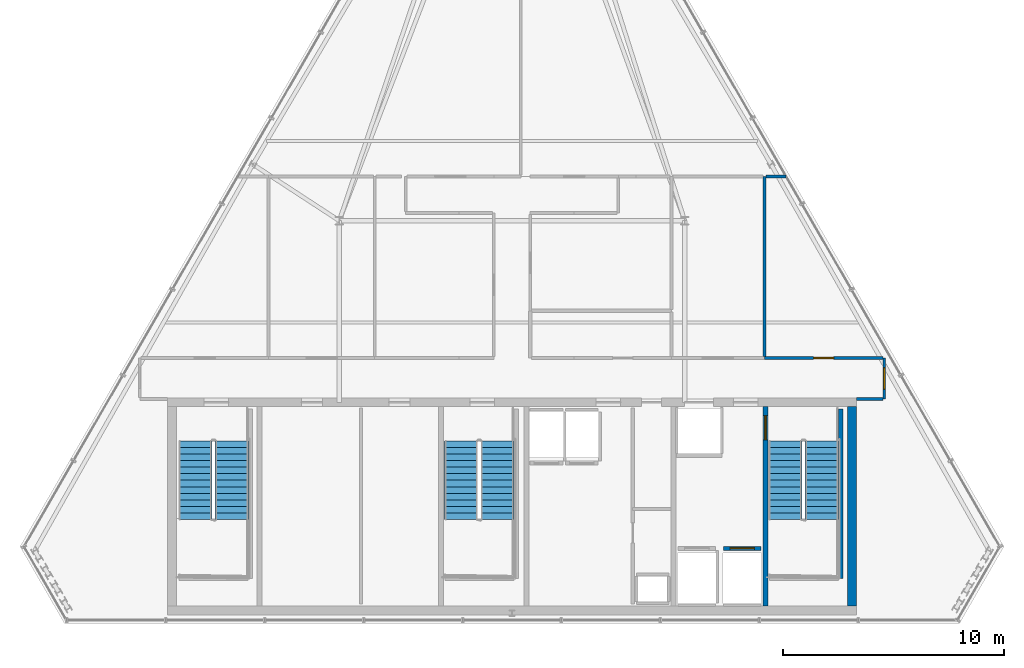
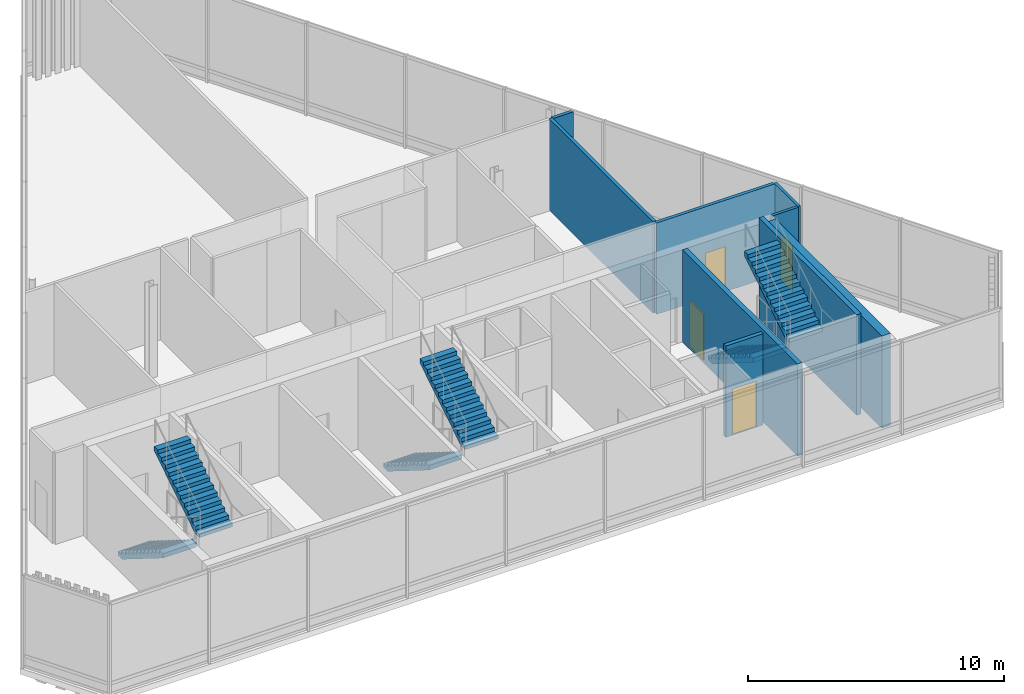
# One storey, part 22 of 25: 9 walls, 6 stair flights, 4 doors, 4 openings, 3 elements without a shape of their own.
"""IFC4 building model written with IfcOpenShell, lengths in metres."""

import ifcopenshell
import ifcopenshell.guid

model = None  # the IFC model being written
_history = None  # IfcOwnerHistory: only IFC2X3 demands one
_inside = {}  # id of a spatial element -> (the spatial element, [elements in it])
_under = {}  # id of a project, library or spatial element -> (it, [spatial elements below it])
_declared = {}  # id of a project -> (the project, [libraries it declares])
_typed = {}  # id of a type object -> (the type object, [elements of that type])
_made_of = {}  # id of a material, layer set ... -> (it, [elements and type objects made of it])


def new_model(schema):
    """Start an empty IFC model of exactly this schema.

    Asked for "IFC4X3", IfcOpenShell would pick the latest addendum, in which some entities
    have other attributes; the version numbers below select the first issue.
    IFC2X3 requires an IfcOwnerHistory on every rooted entity: one is made here for all.
    """
    global model, _history
    if schema == "IFC4X3":
        model = ifcopenshell.file(schema_version=(4, 3, 0, 0))
    else:
        model = ifcopenshell.file(schema=schema)
    _inside.clear()
    _under.clear()
    _declared.clear()
    _typed.clear()
    _made_of.clear()
    _history = None
    if model.schema == "IFC2X3":
        org = make("IfcOrganization", Name="unknown")
        user = make(
            "IfcPersonAndOrganization",
            ThePerson=make("IfcPerson", FamilyName="unknown"),
            TheOrganization=org,
        )
        app = make(
            "IfcApplication",
            ApplicationDeveloper=org,
            Version="unknown",
            ApplicationFullName="unknown",
            ApplicationIdentifier="unknown",
        )
        _history = make(
            "IfcOwnerHistory",
            OwningUser=user,
            OwningApplication=app,
            ChangeAction="ADDED",
            CreationDate=0,
        )
    return model


def make(cls, **values):
    """One entity of the class cls with the attributes given. An attribute that is None is left unset."""
    return model.create_entity(
        cls, **{name: value for name, value in values.items() if value is not None}
    )


def rooted(cls, **values):
    """An entity with a GlobalId (a new one), such as an element, a storey or a relation."""
    return make(cls, GlobalId=ifcopenshell.guid.new(), OwnerHistory=_history, **values)


def si_unit(unit_type, name, prefix=None):
    """IfcSIUnit, for example si_unit("LENGTHUNIT", "METRE", prefix="MILLI")."""
    return make("IfcSIUnit", UnitType=unit_type, Prefix=prefix, Name=name)


def assignment(units):
    """IfcUnitAssignment: the units of a project."""
    return None if units is None else make("IfcUnitAssignment", Units=units)


def point(xyz):
    """IfcCartesianPoint."""
    return None if xyz is None else make("IfcCartesianPoint", Coordinates=xyz)


def direction(xyz):
    """IfcDirection."""
    return None if xyz is None else make("IfcDirection", DirectionRatios=xyz)


def frame(location, z_axis=None, x_axis=None):
    """IfcAxis2Placement3D, a coordinate frame: its origin and axes. An axis left out is left unset."""
    return make(
        "IfcAxis2Placement3D",
        Location=point(location),
        Axis=direction(z_axis),
        RefDirection=direction(x_axis),
    )


def frame_2d(location, x_axis=None):
    """IfcAxis2Placement2D, a coordinate frame in the plane: its origin and x axis."""
    return make(
        "IfcAxis2Placement2D", Location=point(location), RefDirection=direction(x_axis)
    )


def origin():
    """The frame at (0, 0, 0) with its axes left unset."""
    return frame((0.0, 0.0, 0.0))


def place(relative_to, where):
    """IfcLocalPlacement: puts the frame where relative to a parent placement (None: the world)."""
    return make(
        "IfcLocalPlacement", PlacementRelTo=relative_to, RelativePlacement=where
    )


def context(
    kind, dimensions, precision=None, world=None, true_north=None, identifier=None
):
    """IfcGeometricRepresentationContext, for example the 3D "Model" context."""
    return make(
        "IfcGeometricRepresentationContext",
        ContextIdentifier=identifier,
        ContextType=kind,
        CoordinateSpaceDimension=dimensions,
        Precision=precision,
        WorldCoordinateSystem=world,
        TrueNorth=true_north,
    )


def subcontext(parent, identifier, kind, view, scale=None):
    """IfcGeometricRepresentationSubContext, for example "Body" below "Model"."""
    return make(
        "IfcGeometricRepresentationSubContext",
        ContextIdentifier=identifier,
        ContextType=kind,
        ParentContext=parent,
        TargetScale=scale,
        TargetView=view,
    )


def project(units=None, contexts=None):
    """IfcProject with its units and contexts."""
    return rooted(
        "IfcProject",
        Name="project",
        RepresentationContexts=contexts,
        UnitsInContext=assignment(units),
    )


def spatial(cls, under=None, at=None, **own):
    """A site, building, storey or space (cls), placed at a placement, below another one or the project."""
    s = rooted(cls, ObjectPlacement=at, **own)
    if under is not None:
        _under.setdefault(under.id(), (under, []))[1].append(s)
    return s


def polyline(points):
    """IfcPolyline through the points."""
    return make("IfcPolyline", Points=[point(p) for p in points])


def profile(cls, at=None, kind="AREA", **sizes):
    """A parametric profile (cls). Its sizes go by their IFC names, for example OverallWidth=200.0."""
    return make(cls, ProfileType=kind, Position=at, **sizes)


def rectangle(**sizes):
    """IfcRectangleProfileDef."""
    return profile("IfcRectangleProfileDef", **sizes)


def outline(outer, holes=None, kind="AREA"):
    """IfcArbitraryClosedProfileDef: a profile drawn as a closed curve; with holes, ...WithVoids."""
    if holes is None:
        return make("IfcArbitraryClosedProfileDef", ProfileType=kind, OuterCurve=outer)
    return make(
        "IfcArbitraryProfileDefWithVoids",
        ProfileType=kind,
        OuterCurve=outer,
        InnerCurves=holes,
    )


def extrude(swept, where, along, depth):
    """IfcExtrudedAreaSolid: the profile swept, set in the frame where, extruded along a direction by depth."""
    return make(
        "IfcExtrudedAreaSolid",
        SweptArea=swept,
        Position=where,
        ExtrudedDirection=direction(along),
        Depth=depth,
    )


def shape(context_of_items, identifier, shape_type, items):
    """IfcShapeRepresentation: the items that make up one representation, for example the "Body"."""
    return make(
        "IfcShapeRepresentation",
        ContextOfItems=context_of_items,
        RepresentationIdentifier=identifier,
        RepresentationType=shape_type,
        Items=items,
    )


def material(Name=None, Category=None):
    """IfcMaterial."""
    return make("IfcMaterial", Name=Name, Category=Category)


def layer(
    of_material, thickness, ventilated=None, Name=None, Category=None, Priority=None
):
    """IfcMaterialLayer: one layer of a wall or slab, of a material (None: an air gap)."""
    return make(
        "IfcMaterialLayer",
        Material=of_material,
        LayerThickness=thickness,
        IsVentilated=ventilated,
        Name=Name,
        Category=Category,
        Priority=Priority,
    )


def layer_set(layers, Name=None):
    """IfcMaterialLayerSet."""
    return make("IfcMaterialLayerSet", MaterialLayers=layers, LayerSetName=Name)


def made_of(thing, what):
    """Note that an element or type object is made of a material, layer set ...; save() writes the relation."""
    if what is not None:
        _made_of.setdefault(what.id(), (what, []))[1].append(thing)
    return thing


def type_object(cls, material=None, **own):
    """A type object (cls), such as IfcWallType, which elements share."""
    return made_of(rooted(cls, **own), material)


def element(
    cls,
    number,
    at=None,
    inside=None,
    cuts=None,
    type_object=None,
    material=None,
    context=None,
    identifier="Body",
    shape_type=None,
    held_by="IfcProductDefinitionShape",
    body=None,
    shapes=None,
    **own,
):
    """One element of the class cls, such as IfcWall. Its Tag is "e" and its number.

    at: its placement. inside: the storey or other place that contains it. cuts: it is an
    opening in that element (IfcRelVoidsElement). A single representation is given by context,
    identifier, shape_type and body (its items); several are given by shapes. held_by: the class
    of the entity that holds the representations. save() writes the other relations.
    """
    e = rooted(cls, Tag="e%d" % number, ObjectPlacement=at, **own)
    if body is not None:
        shapes = [shape(context, identifier, shape_type, body)]
    if shapes is not None:
        e.Representation = make(held_by, Representations=shapes)
    if inside is not None:
        _inside.setdefault(inside.id(), (inside, []))[1].append(e)
    if cuts is not None:
        rooted(
            "IfcRelVoidsElement", RelatingBuildingElement=cuts, RelatedOpeningElement=e
        )
    if type_object is not None:
        _typed.setdefault(type_object.id(), (type_object, []))[1].append(e)
    return made_of(e, material)


def fill(opening, filler):
    """IfcRelFillsElement: the door or window that sits in an opening."""
    return rooted(
        "IfcRelFillsElement",
        RelatingOpeningElement=opening,
        RelatedBuildingElement=filler,
    )


def aggregate(whole, parts):
    """IfcRelAggregates: a whole, such as a stair, and the parts it consists of."""
    return rooted("IfcRelAggregates", RelatingObject=whole, RelatedObjects=parts)


def save(model, path):
    """Write the relations noted so far, then the file.

    IfcRelAggregates (storeys below a building ...), IfcRelContainedInSpatialStructure (elements
    in a storey), IfcRelDefinesByType, IfcRelAssociatesMaterial and IfcRelDeclares: one each for
    every whole, place, type object, material and project.
    """
    for whole, parts in _under.values():
        aggregate(whole, parts)
    for where, things in _inside.values():
        rooted(
            "IfcRelContainedInSpatialStructure",
            RelatedElements=things,
            RelatingStructure=where,
        )
    for kind, things in _typed.values():
        rooted("IfcRelDefinesByType", RelatedObjects=things, RelatingType=kind)
    for what, things in _made_of.values():
        rooted("IfcRelAssociatesMaterial", RelatedObjects=things, RelatingMaterial=what)
    for by, libraries in _declared.values():
        rooted("IfcRelDeclares", RelatingContext=by, RelatedDefinitions=libraries)
    model.write(path)


model = new_model("IFC4")

# Units and contexts
model_context = context("Model", 3, precision=1e-05, world=origin(), true_north=direction((0.0, 1.0)))
body_context = subcontext(model_context, "Body", "Model", "MODEL_VIEW")
ifc_project = project(units=[si_unit("LENGTHUNIT", "METRE"), si_unit("AREAUNIT", "SQUARE_METRE"), si_unit("VOLUMEUNIT", "CUBIC_METRE"), si_unit("PLANEANGLEUNIT", "RADIAN"), si_unit("MASSUNIT", "GRAM", prefix="KILO")], contexts=[model_context])

# Site, building, storey
site_placement = place(None, origin())
site = spatial("IfcSite", under=ifc_project, at=site_placement, CompositionType="ELEMENT")
building_placement = place(site_placement, origin())
building = spatial("IfcBuilding", under=site, at=building_placement, Name="Ndaravel Arena Tower", CompositionType="ELEMENT")
storey_placement = place(building_placement, frame((0.0, 0.0, 303.300048828125)))
storey = spatial("IfcBuildingStorey", under=building, at=storey_placement, Name="L74", CompositionType="ELEMENT", Elevation=303.300048828125)

# Wall, opening, door
ifc_material_1 = material(Name="Concrete C50/60", Category="concrete")
ifc_layer_1 = layer(ifc_material_1, 0.219970703125)
ifc_layer_set_1 = layer_set([ifc_layer_1], Name="Concrete C50/60")
wall_type_1 = type_object("IfcWallType", Name="WALL-CORE-220", PredefinedType="SOLIDWALL", material=ifc_layer_set_1)
wall_1_placement = place(storey_placement, frame((53.449951171875, 5.800048828125, 0.0), z_axis=(0.0, 0.0, 1.0), x_axis=(0.0, 1.0, 0.0)))
wall_1 = element("IfcWall", 1, at=wall_1_placement, inside=storey, type_object=wall_type_1, Name="L74 Core Web Shear Wall 5", PredefinedType="SOLIDWALL", context=body_context, shape_type="SweptSolid", body=[
    extrude(rectangle(XDim=9.0, YDim=0.219970703125, at=frame_2d((4.5, 0.0))), origin(), (0.0, 0.0, 1.0), 4.39990234375),
])
opening_1_placement = place(wall_1_placement, frame((7.5, 0.0, 0.0)))
opening_1 = element("IfcOpeningElement", 2, at=opening_1_placement, cuts=wall_1, Name="Opening FD-01", PredefinedType="OPENING", context=body_context, shape_type="SweptSolid", body=[
    extrude(rectangle(XDim=1.10009765625, YDim=2.199951171875, at=frame_2d((0.550048828125, 1.10009765625))), frame((0.0, 0.10986328125, 0.0), z_axis=(0.0, -1.0, 0.0), x_axis=(1.0, 0.0, 0.0)), (0.0, 0.0, 1.0), 0.219970703125),
])
ifc_material_2 = material(Name="Steel S355", Category="steel")
door_type_1 = type_object("IfcDoorType", Name="DT-01-STAIR-1100", OperationType="SINGLE_SWING_LEFT", PredefinedType="DOOR", material=ifc_material_2)
door_1_placement = place(opening_1_placement, origin())
door_1 = element("IfcDoor", 3, at=door_1_placement, inside=storey, type_object=door_type_1, Name="L74 Firefighting Lobby to ST-3 Door", OperationType="SINGLE_SWING_LEFT", OverallHeight=2.199951171875, OverallWidth=1.10009765625, PredefinedType="DOOR", context=body_context, shape_type="SweptSolid", body=[
    extrude(rectangle(XDim=1.10009765625, YDim=2.199951171875, at=frame_2d((0.550048828125, 1.10009765625))), frame((0.0, 0.02490234375, 0.0), z_axis=(0.0, -1.0, 0.0), x_axis=(1.0, 0.0, 0.0)), (0.0, 0.0, 1.0), 0.050048828125),
])
fill(opening_1, door_1)

# Wall
ifc_material_3 = material(Name="Concrete C50/60", Category="concrete")
ifc_layer_2 = layer(ifc_material_3, 0.39990234375)
ifc_layer_set_2 = layer_set([ifc_layer_2], Name="Concrete C50/60")
wall_type_2 = type_object("IfcWallType", Name="WALL-CORE-400", PredefinedType="SOLIDWALL", material=ifc_layer_set_2)
wall_2_placement = place(storey_placement, frame((57.35009765625, 5.800048828125, 0.0), z_axis=(0.0, 0.0, 1.0), x_axis=(0.0, 1.0, 0.0)))
element("IfcWall", 4, at=wall_2_placement, inside=storey, type_object=wall_type_2, Name="L74 Core East Shear Wall", PredefinedType="SOLIDWALL", context=body_context, shape_type="SweptSolid", body=[
    extrude(rectangle(XDim=9.0, YDim=0.39990234375, at=frame_2d((4.5, 0.0))), origin(), (0.0, 0.0, 1.0), 4.39990234375),
])

# Wall, opening, door
ifc_material_4 = material(Name="Gypsum", Category="gypsum")
ifc_layer_3 = layer(ifc_material_4, 0.125)
ifc_layer_set_3 = layer_set([ifc_layer_3], Name="Gypsum")
wall_type_3 = type_object("IfcWallType", Name="WALL-PART-125", PredefinedType="PARTITIONING", material=ifc_layer_set_3)
wall_3_placement = place(storey_placement, frame((58.80908203125, 17.0, 0.0), z_axis=(0.0, 0.0, 1.0), x_axis=(0.0, -1.0, 0.0)))
wall_3 = element("IfcWall", 5, at=wall_3_placement, inside=storey, type_object=wall_type_3, Name="L74 Interior Partition 001", PredefinedType="PARTITIONING", context=body_context, shape_type="SweptSolid", body=[
    extrude(rectangle(XDim=1.85009765625, YDim=0.125, at=frame_2d((0.925048828125, 0.0))), origin(), (0.0, 0.0, 1.0), 4.35986328125),
])
opening_2_placement = place(wall_3_placement, frame((0.449951171875, 0.0, 0.0)))
opening_2 = element("IfcOpeningElement", 6, at=opening_2_placement, cuts=wall_3, Name="Opening ID-01", PredefinedType="OPENING", context=body_context, shape_type="SweptSolid", body=[
    extrude(rectangle(XDim=0.949951171875, YDim=2.199951171875, at=frame_2d((0.47509765625, 1.10009765625))), frame((0.0, 0.0625, 0.0), z_axis=(0.0, -1.0, 0.0), x_axis=(1.0, 0.0, 0.0)), (0.0, 0.0, 1.0), 0.125),
])
ifc_material_5 = material(Name="Timber", Category="wood")
door_type_2 = type_object("IfcDoorType", Name="DT-03-OFFICE-950", OperationType="SINGLE_SWING_LEFT", PredefinedType="DOOR", material=ifc_material_5)
door_2_placement = place(opening_2_placement, origin())
door_2 = element("IfcDoor", 7, at=door_2_placement, inside=storey, type_object=door_type_2, Name="L74 Horizon Refreshment Kiosk Door", OperationType="SINGLE_SWING_RIGHT", OverallHeight=2.199951171875, OverallWidth=0.949951171875, PredefinedType="DOOR", context=body_context, shape_type="SweptSolid", body=[
    extrude(rectangle(XDim=0.949951171875, YDim=2.199951171875, at=frame_2d((0.47509765625, 1.10009765625))), frame((0.0, 0.02490234375, 0.0), z_axis=(0.0, -1.0, 0.0), x_axis=(1.0, 0.0, 0.0)), (0.0, 0.0, 1.0), 0.050048828125),
])
fill(opening_2, door_2)

# Walls
wall_4_placement = place(storey_placement, frame((58.743896484375, 15.14990234375, 0.0), z_axis=(0.0, 0.0, 1.0), x_axis=(-1.0, 0.0, 0.0)))
element("IfcWall", 8, at=wall_4_placement, inside=storey, type_object=wall_type_3, Name="L74 Interior Partition 002", PredefinedType="PARTITIONING", context=body_context, shape_type="SweptSolid", body=[
    extrude(rectangle(XDim=1.19384765625, YDim=0.125, at=frame_2d((0.596923828125, 0.0))), origin(), (0.0, 0.0, 1.0), 4.35986328125),
])
ifc_material_6 = material(Name="Concrete C40/50", Category="concrete")
ifc_layer_4 = layer(ifc_material_6, 0.199951171875)
ifc_layer_set_4 = layer_set([ifc_layer_4], Name="Concrete C40/50")
wall_type_4 = type_object("IfcWallType", Name="WALL-SHAFT-200", PredefinedType="SOLIDWALL", material=ifc_layer_set_4)
wall_5_placement = place(storey_placement, frame((56.840087890625, 14.699951171875, 0.0), z_axis=(0.0, 0.0, 1.0), x_axis=(0.0, -1.0, 0.0)))
element("IfcWall", 9, at=wall_5_placement, inside=storey, type_object=wall_type_4, Name="L74 ST-3 Structural Shaft Wall Right", PredefinedType="SOLIDWALL", context=body_context, shape_type="SweptSolid", body=[
    extrude(rectangle(XDim=7.64990234375, YDim=0.199951171875, at=frame_2d((3.824951171875, 0.0))), origin(), (0.0, 0.0, 1.0), 4.800048828125),
])

# Wall, opening, door
wall_6_placement = place(storey_placement, frame((51.554931640625, 8.39990234375, 0.0), z_axis=(0.0, 0.0, 1.0), x_axis=(1.0, 0.0, 0.0)))
wall_6 = element("IfcWall", 10, at=wall_6_placement, inside=storey, type_object=wall_type_4, Name="L74 FFL-2 Shaft Landing Wall", PredefinedType="SOLIDWALL", context=body_context, shape_type="SweptSolid", body=[
    extrude(rectangle(XDim=1.690185546875, YDim=0.179931640625, at=frame_2d((0.84521484375, 0.0))), origin(), (0.0, 0.0, 1.0), 4.35986328125),
])
opening_3_placement = place(wall_6_placement, frame((0.294921875, 0.0, 0.0)))
opening_3 = element("IfcOpeningElement", 11, at=opening_3_placement, cuts=wall_6, Name="Opening LD-01", PredefinedType="OPENING", context=body_context, shape_type="SweptSolid", body=[
    extrude(rectangle(XDim=1.10009765625, YDim=2.199951171875, at=frame_2d((0.550048828125, 1.10009765625))), frame((0.0, 0.08984375, 0.0), z_axis=(0.0, -1.0, 0.0), x_axis=(1.0, 0.0, 0.0)), (0.0, 0.0, 1.0), 0.179931640625),
])
ifc_material_7 = material(Name="Steel S355", Category="steel")
door_type_3 = type_object("IfcDoorType", Name="DT-06-LIFT-1100", OperationType="SLIDING_TO_LEFT", PredefinedType="DOOR", material=ifc_material_7)
door_3_placement = place(opening_3_placement, origin())
door_3 = element("IfcDoor", 12, at=door_3_placement, inside=storey, type_object=door_type_3, Name="L74 Lift FFL-2 Sliding Landing Door", OperationType="SLIDING_TO_LEFT", OverallHeight=2.199951171875, OverallWidth=1.10009765625, PredefinedType="DOOR", context=body_context, shape_type="SweptSolid", body=[
    extrude(rectangle(XDim=1.10009765625, YDim=2.199951171875, at=frame_2d((0.550048828125, 1.10009765625))), frame((0.0, 0.02490234375, 0.0), z_axis=(0.0, -1.0, 0.0), x_axis=(1.0, 0.0, 0.0)), (0.0, 0.0, 1.0), 0.050048828125),
])
fill(opening_3, door_3)

ifc_material_8 = material(Name="Masonry", Category="masonry")
ifc_layer_5 = layer(ifc_material_8, 0.14990234375)
ifc_layer_set_5 = layer_set([ifc_layer_5], Name="Masonry")
wall_type_5 = type_object("IfcWallType", Name="WALL-WET-150", PredefinedType="PARTITIONING", material=ifc_layer_set_5)
wall_7_placement = place(storey_placement, frame((53.39990234375, 17.0, 0.0), z_axis=(0.0, 0.0, 1.0), x_axis=(1.0, 0.0, 0.0)))
wall_7 = element("IfcWall", 13, at=wall_7_placement, inside=storey, type_object=wall_type_5, Name="L74 Interior Partition 024", PredefinedType="PARTITIONING", context=body_context, shape_type="SweptSolid", body=[
    extrude(rectangle(XDim=5.343994140625, YDim=0.14990234375, at=frame_2d((2.671875, 0.0))), origin(), (0.0, 0.0, 1.0), 4.35986328125),
])
opening_4_placement = place(wall_7_placement, frame((2.221923828125, 0.0, 0.0)))
opening_4 = element("IfcOpeningElement", 14, at=opening_4_placement, cuts=wall_7, Name="Opening WD-01", PredefinedType="OPENING", context=body_context, shape_type="SweptSolid", body=[
    extrude(rectangle(XDim=0.89990234375, YDim=2.14990234375, at=frame_2d((0.449951171875, 1.074951171875))), frame((0.0, 0.074951171875, 0.0), z_axis=(0.0, -1.0, 0.0), x_axis=(1.0, 0.0, 0.0)), (0.0, 0.0, 1.0), 0.14990234375),
])
ifc_material_9 = material(Name="Timber", Category="wood")
door_type_4 = type_object("IfcDoorType", Name="DT-05-WC-900", OperationType="SINGLE_SWING_LEFT", PredefinedType="DOOR", material=ifc_material_9)
door_4_placement = place(opening_4_placement, origin())
door_4 = element("IfcDoor", 15, at=door_4_placement, inside=storey, type_object=door_type_4, Name="L74 Female & Accessible Restroom Door", OperationType="SINGLE_SWING_RIGHT", OverallHeight=2.14990234375, OverallWidth=0.89990234375, PredefinedType="DOOR", context=body_context, shape_type="SweptSolid", body=[
    extrude(rectangle(XDim=0.89990234375, YDim=2.14990234375, at=frame_2d((0.449951171875, 1.074951171875))), frame((0.0, 0.02490234375, 0.0), z_axis=(0.0, -1.0, 0.0), x_axis=(1.0, 0.0, 0.0)), (0.0, 0.0, 1.0), 0.050048828125),
])
fill(opening_4, door_4)

# Walls
wall_8_placement = place(storey_placement, frame((53.39990234375, 17.06494140625, 0.0), z_axis=(0.0, 0.0, 1.0), x_axis=(0.0, 1.0, 0.0)))
element("IfcWall", 16, at=wall_8_placement, inside=storey, type_object=wall_type_5, Name="L74 Interior Partition 027", PredefinedType="PARTITIONING", context=body_context, shape_type="SweptSolid", body=[
    extrude(rectangle(XDim=8.135009765625, YDim=0.14990234375, at=frame_2d((4.0673828125, 0.0))), origin(), (0.0, 0.0, 1.0), 4.35986328125),
])
wall_9_placement = place(storey_placement, frame((53.465087890625, 25.199951171875, 0.0), z_axis=(0.0, 0.0, 1.0), x_axis=(1.0, 0.0, 0.0)))
element("IfcWall", 17, at=wall_9_placement, inside=storey, type_object=wall_type_5, Name="L74 Interior Partition 028", PredefinedType="PARTITIONING", context=body_context, shape_type="SweptSolid", body=[
    extrude(rectangle(XDim=0.91943359375, YDim=0.14990234375, at=frame_2d((0.459716796875, 0.0))), origin(), (0.0, 0.0, 1.0), 4.35986328125),
])

# Stair, stair flights
ifc_material_10 = material(Name="Concrete C40/50", Category="concrete")
stair_type = type_object("IfcStairType", Name="STAIR-CORE-HT", PredefinedType="HALF_TURN_STAIR", material=ifc_material_10)
stair_1_placement = place(storey_placement, origin())
stair_1 = element("IfcStair", 18, at=stair_1_placement, inside=storey, type_object=stair_type, Name="L74 ST-1", PredefinedType="HALF_TURN_STAIR")
ifc_material_11 = material(Name="Concrete C40/50", Category="concrete")
stair_flight_type = type_object("IfcStairFlightType", Name="SFLIGHT-CORE-1680", PredefinedType="STRAIGHT", material=ifc_material_11)
stair_flight_1_placement = place(storey_placement, frame((27.699951171875, 13.25, 0.0), z_axis=(0.0, 0.0, 1.0), x_axis=(0.0, -1.0, 0.0)))
stair_flight_1 = element("IfcStairFlight", 19, at=stair_flight_1_placement, type_object=stair_flight_type, Name="ST-1 flight 1", NumberOfRisers=13, NumberOfTreads=12, PredefinedType="STRAIGHT", RiserHeight=0.184615385, TreadLength=0.295, context=body_context, shape_type="SweptSolid", body=[
    extrude(outline(polyline([(0.0, 0.0), (0.0, 0.1845703125), (0.294921875, 0.1845703125), (0.294921875, 0.369140625), (0.590087890625, 0.369140625), (0.590087890625, 0.553955078125), (0.885009765625, 0.553955078125), (0.885009765625, 0.738525390625), (1.179931640625, 0.738525390625), (1.179931640625, 0.923095703125), (1.47509765625, 0.923095703125), (1.47509765625, 1.107666015625), (1.77001953125, 1.107666015625), (1.77001953125, 1.292236328125), (2.06494140625, 1.292236328125), (2.06494140625, 1.476806640625), (2.360107421875, 1.476806640625), (2.360107421875, 1.66162109375), (2.655029296875, 1.66162109375), (2.655029296875, 1.84619140625), (2.949951171875, 1.84619140625), (2.949951171875, 2.03076171875), (3.2451171875, 2.03076171875), (3.2451171875, 2.21533203125), (3.5400390625, 2.21533203125), (3.5400390625, 2.39990234375), (3.5400390625, 2.003173828125), (0.339111328125, 0.0), (0.0, 0.0)])), frame((0.0, 0.75, 0.0), z_axis=(0.0, -1.0, 0.0), x_axis=(1.0, 0.0, 0.0)), (0.0, 0.0, 1.0), 1.5),
])
stair_flight_2_placement = place(storey_placement, frame((29.340087890625, 9.7099609375, 2.39990234375), z_axis=(0.0, 0.0, 1.0), x_axis=(0.0, 1.0, 0.0)))
stair_flight_2 = element("IfcStairFlight", 20, at=stair_flight_2_placement, type_object=stair_flight_type, Name="ST-1 flight 2", NumberOfRisers=13, NumberOfTreads=12, PredefinedType="STRAIGHT", RiserHeight=0.184615385, TreadLength=0.295, context=body_context, shape_type="SweptSolid", body=[
    extrude(outline(polyline([(0.0, 0.0), (0.0, 0.1845703125), (0.294921875, 0.1845703125), (0.294921875, 0.369140625), (0.590087890625, 0.369140625), (0.590087890625, 0.553955078125), (0.885009765625, 0.553955078125), (0.885009765625, 0.738525390625), (1.179931640625, 0.738525390625), (1.179931640625, 0.923095703125), (1.47509765625, 0.923095703125), (1.47509765625, 1.107666015625), (1.77001953125, 1.107666015625), (1.77001953125, 1.292236328125), (2.06494140625, 1.292236328125), (2.06494140625, 1.476806640625), (2.360107421875, 1.476806640625), (2.360107421875, 1.66162109375), (2.655029296875, 1.66162109375), (2.655029296875, 1.84619140625), (2.949951171875, 1.84619140625), (2.949951171875, 2.03076171875), (3.2451171875, 2.03076171875), (3.2451171875, 2.21533203125), (3.5400390625, 2.21533203125), (3.5400390625, 2.39990234375), (3.5400390625, 2.003173828125), (0.339111328125, 0.0), (0.0, 0.0)])), frame((0.0, 0.75, 0.0), z_axis=(0.0, -1.0, 0.0), x_axis=(1.0, 0.0, 0.0)), (0.0, 0.0, 1.0), 1.5),
])
aggregate(stair_1, [stair_flight_1, stair_flight_2])

stair_2_placement = place(storey_placement, origin())
stair_2 = element("IfcStair", 21, at=stair_2_placement, inside=storey, type_object=stair_type, Name="L74 ST-2", PredefinedType="HALF_TURN_STAIR")
stair_flight_3_placement = place(storey_placement, frame((39.699951171875, 13.25, 0.0), z_axis=(0.0, 0.0, 1.0), x_axis=(0.0, -1.0, 0.0)))
stair_flight_3 = element("IfcStairFlight", 22, at=stair_flight_3_placement, type_object=stair_flight_type, Name="ST-2 flight 1", NumberOfRisers=13, NumberOfTreads=12, PredefinedType="STRAIGHT", RiserHeight=0.184615385, TreadLength=0.295, context=body_context, shape_type="SweptSolid", body=[
    extrude(outline(polyline([(0.0, 0.0), (0.0, 0.1845703125), (0.294921875, 0.1845703125), (0.294921875, 0.369140625), (0.590087890625, 0.369140625), (0.590087890625, 0.553955078125), (0.885009765625, 0.553955078125), (0.885009765625, 0.738525390625), (1.179931640625, 0.738525390625), (1.179931640625, 0.923095703125), (1.47509765625, 0.923095703125), (1.47509765625, 1.107666015625), (1.77001953125, 1.107666015625), (1.77001953125, 1.292236328125), (2.06494140625, 1.292236328125), (2.06494140625, 1.476806640625), (2.360107421875, 1.476806640625), (2.360107421875, 1.66162109375), (2.655029296875, 1.66162109375), (2.655029296875, 1.84619140625), (2.949951171875, 1.84619140625), (2.949951171875, 2.03076171875), (3.2451171875, 2.03076171875), (3.2451171875, 2.21533203125), (3.5400390625, 2.21533203125), (3.5400390625, 2.39990234375), (3.5400390625, 2.003173828125), (0.339111328125, 0.0), (0.0, 0.0)])), frame((0.0, 0.75, 0.0), z_axis=(0.0, -1.0, 0.0), x_axis=(1.0, 0.0, 0.0)), (0.0, 0.0, 1.0), 1.5),
])
stair_flight_4_placement = place(storey_placement, frame((41.340087890625, 9.7099609375, 2.39990234375), z_axis=(0.0, 0.0, 1.0), x_axis=(0.0, 1.0, 0.0)))
stair_flight_4 = element("IfcStairFlight", 23, at=stair_flight_4_placement, type_object=stair_flight_type, Name="ST-2 flight 2", NumberOfRisers=13, NumberOfTreads=12, PredefinedType="STRAIGHT", RiserHeight=0.184615385, TreadLength=0.295, context=body_context, shape_type="SweptSolid", body=[
    extrude(outline(polyline([(0.0, 0.0), (0.0, 0.1845703125), (0.294921875, 0.1845703125), (0.294921875, 0.369140625), (0.590087890625, 0.369140625), (0.590087890625, 0.553955078125), (0.885009765625, 0.553955078125), (0.885009765625, 0.738525390625), (1.179931640625, 0.738525390625), (1.179931640625, 0.923095703125), (1.47509765625, 0.923095703125), (1.47509765625, 1.107666015625), (1.77001953125, 1.107666015625), (1.77001953125, 1.292236328125), (2.06494140625, 1.292236328125), (2.06494140625, 1.476806640625), (2.360107421875, 1.476806640625), (2.360107421875, 1.66162109375), (2.655029296875, 1.66162109375), (2.655029296875, 1.84619140625), (2.949951171875, 1.84619140625), (2.949951171875, 2.03076171875), (3.2451171875, 2.03076171875), (3.2451171875, 2.21533203125), (3.5400390625, 2.21533203125), (3.5400390625, 2.39990234375), (3.5400390625, 2.003173828125), (0.339111328125, 0.0), (0.0, 0.0)])), frame((0.0, 0.75, 0.0), z_axis=(0.0, -1.0, 0.0), x_axis=(1.0, 0.0, 0.0)), (0.0, 0.0, 1.0), 1.5),
])
aggregate(stair_2, [stair_flight_3, stair_flight_4])

stair_3_placement = place(storey_placement, origin())
stair_3 = element("IfcStair", 24, at=stair_3_placement, inside=storey, type_object=stair_type, Name="L74 ST-3", PredefinedType="HALF_TURN_STAIR")
stair_flight_5_placement = place(storey_placement, frame((54.35009765625, 13.25, 0.0), z_axis=(0.0, 0.0, 1.0), x_axis=(0.0, -1.0, 0.0)))
stair_flight_5 = element("IfcStairFlight", 25, at=stair_flight_5_placement, type_object=stair_flight_type, Name="ST-3 flight 1", NumberOfRisers=13, NumberOfTreads=12, PredefinedType="STRAIGHT", RiserHeight=0.184615385, TreadLength=0.295, context=body_context, shape_type="SweptSolid", body=[
    extrude(outline(polyline([(0.0, 0.0), (0.0, 0.1845703125), (0.294921875, 0.1845703125), (0.294921875, 0.369140625), (0.590087890625, 0.369140625), (0.590087890625, 0.553955078125), (0.885009765625, 0.553955078125), (0.885009765625, 0.738525390625), (1.179931640625, 0.738525390625), (1.179931640625, 0.923095703125), (1.47509765625, 0.923095703125), (1.47509765625, 1.107666015625), (1.77001953125, 1.107666015625), (1.77001953125, 1.292236328125), (2.06494140625, 1.292236328125), (2.06494140625, 1.476806640625), (2.360107421875, 1.476806640625), (2.360107421875, 1.66162109375), (2.655029296875, 1.66162109375), (2.655029296875, 1.84619140625), (2.949951171875, 1.84619140625), (2.949951171875, 2.03076171875), (3.2451171875, 2.03076171875), (3.2451171875, 2.21533203125), (3.5400390625, 2.21533203125), (3.5400390625, 2.39990234375), (3.5400390625, 2.003173828125), (0.339111328125, 0.0), (0.0, 0.0)])), frame((0.0, 0.75, 0.0), z_axis=(0.0, -1.0, 0.0), x_axis=(1.0, 0.0, 0.0)), (0.0, 0.0, 1.0), 1.5),
])
stair_flight_6_placement = place(storey_placement, frame((55.989990234375, 9.7099609375, 2.39990234375), z_axis=(0.0, 0.0, 1.0), x_axis=(0.0, 1.0, 0.0)))
stair_flight_6 = element("IfcStairFlight", 26, at=stair_flight_6_placement, type_object=stair_flight_type, Name="ST-3 flight 2", NumberOfRisers=13, NumberOfTreads=12, PredefinedType="STRAIGHT", RiserHeight=0.184615385, TreadLength=0.295, context=body_context, shape_type="SweptSolid", body=[
    extrude(outline(polyline([(0.0, 0.0), (0.0, 0.1845703125), (0.294921875, 0.1845703125), (0.294921875, 0.369140625), (0.590087890625, 0.369140625), (0.590087890625, 0.553955078125), (0.885009765625, 0.553955078125), (0.885009765625, 0.738525390625), (1.179931640625, 0.738525390625), (1.179931640625, 0.923095703125), (1.47509765625, 0.923095703125), (1.47509765625, 1.107666015625), (1.77001953125, 1.107666015625), (1.77001953125, 1.292236328125), (2.06494140625, 1.292236328125), (2.06494140625, 1.476806640625), (2.360107421875, 1.476806640625), (2.360107421875, 1.66162109375), (2.655029296875, 1.66162109375), (2.655029296875, 1.84619140625), (2.949951171875, 1.84619140625), (2.949951171875, 2.03076171875), (3.2451171875, 2.03076171875), (3.2451171875, 2.21533203125), (3.5400390625, 2.21533203125), (3.5400390625, 2.39990234375), (3.5400390625, 2.003173828125), (0.339111328125, 0.0), (0.0, 0.0)])), frame((0.0, 0.75, 0.0), z_axis=(0.0, -1.0, 0.0), x_axis=(1.0, 0.0, 0.0)), (0.0, 0.0, 1.0), 1.5),
])
aggregate(stair_3, [stair_flight_5, stair_flight_6])

save(model, "model.ifc")
